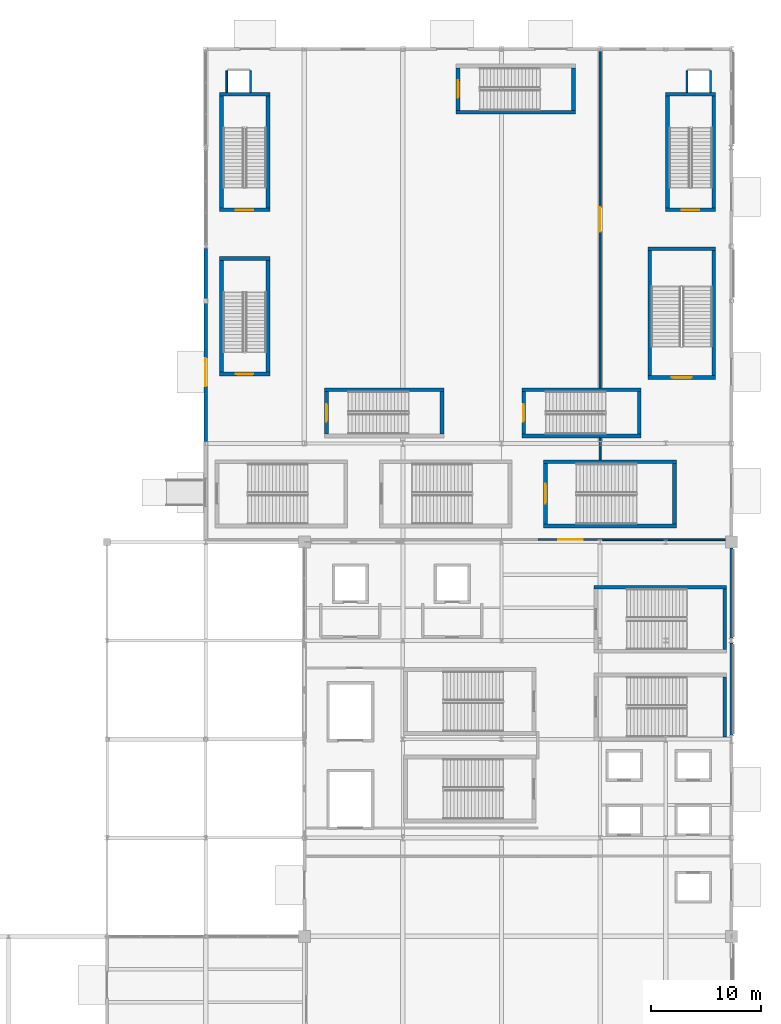
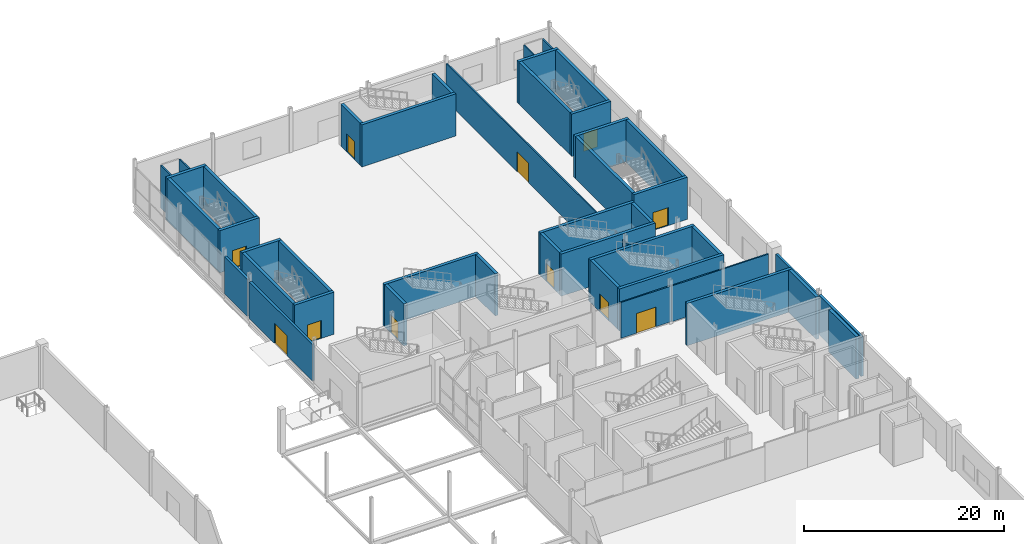
# One storey, part 62 of 94: 45 walls, 11 doors, 11 openings.
"""IFC4 building model written with IfcOpenShell, lengths in metres."""

from ifc_helpers import new_model, si_unit, direction, frame, frame_2d, origin, place, context, subcontext, project, spatial, rectangle, extrude, material, layer, layer_set, type_object, element, fill, save


model = new_model("IFC4")

# Units and contexts
model_context = context("Model", 3, precision=1e-05, world=origin(), true_north=direction((0.0, 1.0)))
body_context = subcontext(model_context, "Body", "Model", "MODEL_VIEW")
ifc_project = project(units=[si_unit("LENGTHUNIT", "METRE"), si_unit("AREAUNIT", "SQUARE_METRE"), si_unit("VOLUMEUNIT", "CUBIC_METRE"), si_unit("PLANEANGLEUNIT", "RADIAN"), si_unit("MASSUNIT", "GRAM", prefix="KILO")], contexts=[model_context])

# Site, building, storey
site_placement = place(None, origin())
site = spatial("IfcSite", under=ifc_project, at=site_placement, CompositionType="ELEMENT")
building_placement = place(site_placement, origin())
building = spatial("IfcBuilding", under=site, at=building_placement, Name="Qamarlyn Nura Convention Centre", CompositionType="ELEMENT")
storey_placement = place(building_placement, origin())
storey = spatial("IfcBuildingStorey", under=building, at=storey_placement, Name="L00", CompositionType="ELEMENT", Elevation=0.0)

# Walls
ifc_material_1 = material(Name="Concrete C50/60", Category="concrete")
ifc_layer_1 = layer(ifc_material_1, 0.35009765625, Name="WT-CORE-350")
ifc_layer_set_1 = layer_set([ifc_layer_1], Name="Concrete C50/60")
wall_type_1 = type_object("IfcWallType", Name="WT-CORE-350", PredefinedType="SHEAR", material=ifc_layer_set_1)
wall_1_placement = place(storey_placement, frame((191.375, 63.199951171875, 0.0), z_axis=(0.0, 0.0, 1.0), x_axis=(0.0, 1.0, 0.0)))
element("IfcWall", 1, at=wall_1_placement, inside=storey, type_object=wall_type_1, Name="L00 stair core shear wall ST-13-E", PredefinedType="SHEAR", context=body_context, shape_type="SweptSolid", body=[
    extrude(rectangle(XDim=5.5, YDim=0.35009765625, at=frame_2d((2.75, 0.0))), origin(), (0.0, 0.0, 1.0), 5.179931640625),
])
wall_2_placement = place(storey_placement, frame((191.550048828125, 76.875, 0.0), z_axis=(0.0, 0.0, 1.0), x_axis=(-1.0, 0.0, 0.0)))
element("IfcWall", 2, at=wall_2_placement, inside=storey, type_object=wall_type_1, Name="L00 stair core shear wall ST-14-N", PredefinedType="SHEAR", context=body_context, shape_type="SweptSolid", body=[
    extrude(rectangle(XDim=12.10009765625, YDim=0.35009765625, at=frame_2d((6.050048828125, 0.0))), origin(), (0.0, 0.0, 1.0), 5.179931640625),
])
wall_3_placement = place(storey_placement, frame((191.375, 71.199951171875, 0.0), z_axis=(0.0, 0.0, 1.0), x_axis=(0.0, 1.0, 0.0)))
element("IfcWall", 3, at=wall_3_placement, inside=storey, type_object=wall_type_1, Name="L00 stair core shear wall ST-14-E", PredefinedType="SHEAR", context=body_context, shape_type="SweptSolid", body=[
    extrude(rectangle(XDim=5.5, YDim=0.35009765625, at=frame_2d((2.75, 0.0))), origin(), (0.0, 0.0, 1.0), 5.179931640625),
])
for number, where, z_axis, x_axis, name in (
    (4, (174.85009765625, 82.47509765625, 0.0), (0.0, 0.0, 1.0), (1.0, 0.0, 0.0), "L00 stair core shear wall ST-17-S"),
    (5, (186.949951171875, 88.324951171875, 0.0), (0.0, 0.0, 1.0), (-1.0, 0.0, 0.0), "L00 stair core shear wall ST-17-N"),
):
    element("IfcWall", number, at=place(storey_placement, frame(where, z_axis=z_axis, x_axis=x_axis)), inside=storey, type_object=wall_type_1, Name=name, PredefinedType="SHEAR", context=body_context, shape_type="SweptSolid", body=[
        extrude(rectangle(XDim=12.099853515625, YDim=0.35009765625, at=frame_2d((6.0498046875, 0.0))), origin(), (0.0, 0.0, 1.0), 5.159912109375),
    ])

# Wall, opening, door
wall_4_placement = place(storey_placement, frame((175.02490234375, 88.14990234375, 0.0), z_axis=(0.0, 0.0, 1.0), x_axis=(0.0, -1.0, 0.0)))
wall_4 = element("IfcWall", 6, at=wall_4_placement, inside=storey, type_object=wall_type_1, Name="L00 stair core shear wall ST-17-W", PredefinedType="SHEAR", context=body_context, shape_type="SweptSolid", body=[
    extrude(rectangle(XDim=5.5, YDim=0.35009765625, at=frame_2d((2.75, 0.0))), origin(), (0.0, 0.0, 1.0), 5.159912109375),
])
opening_1_placement = place(wall_4_placement, frame((1.85009765625, 0.0, 0.0)))
opening_1 = element("IfcOpeningElement", 7, at=opening_1_placement, cuts=wall_4, Name="Opening DS-083", PredefinedType="OPENING", context=body_context, shape_type="SweptSolid", body=[
    extrude(rectangle(XDim=1.800048828125, YDim=2.199951171875, at=frame_2d((0.89990234375, 1.10009765625))), frame((0.0, 0.18505859375, 0.0), z_axis=(0.0, -1.0, 0.0), x_axis=(1.0, 0.0, 0.0)), (0.0, 0.0, 1.0), 0.3701171875),
])
ifc_material_2 = material(Name="Galvanised fire-rated hollow steel door", Category="steel")
door_type_1 = type_object("IfcDoorType", Name="DR-STAIR-1800", OperationType="DOUBLE_DOOR_SINGLE_SWING", PredefinedType="DOOR", material=ifc_material_2)
door_1_placement = place(opening_1_placement, origin())
door_1 = element("IfcDoor", 8, at=door_1_placement, inside=storey, type_object=door_type_1, Name="L00 exit stair door ST-17 (DS-083)", OperationType="DOUBLE_DOOR_SINGLE_SWING", OverallHeight=2.199951171875, OverallWidth=1.800048828125, PredefinedType="DOOR", context=body_context, shape_type="SweptSolid", body=[
    extrude(rectangle(XDim=1.800048828125, YDim=2.199951171875, at=frame_2d((0.89990234375, 1.10009765625))), frame((0.0, 0.02490234375, 0.0), z_axis=(0.0, -1.0, 0.0), x_axis=(1.0, 0.0, 0.0)), (0.0, 0.0, 1.0), 0.050048828125),
])
fill(opening_1, door_1)

# Wall
wall_5_placement = place(storey_placement, frame((186.77490234375, 82.64990234375, 0.0), z_axis=(0.0, 0.0, 1.0), x_axis=(0.0, 1.0, 0.0)))
element("IfcWall", 9, at=wall_5_placement, inside=storey, type_object=wall_type_1, Name="L00 stair core shear wall ST-17-E", PredefinedType="SHEAR", context=body_context, shape_type="SweptSolid", body=[
    extrude(rectangle(XDim=5.5, YDim=0.35009765625, at=frame_2d((2.75, 0.0))), origin(), (0.0, 0.0, 1.0), 5.159912109375),
])

# Wall, opening, door
wall_6_placement = place(storey_placement, frame((184.35009765625, 96.02490234375, 0.0), z_axis=(0.0, 0.0, 1.0), x_axis=(1.0, 0.0, 0.0)))
wall_6 = element("IfcWall", 10, at=wall_6_placement, inside=storey, type_object=wall_type_1, Name="L00 stair core shear wall ST-18-S", PredefinedType="SHEAR", context=body_context, shape_type="SweptSolid", body=[
    extrude(rectangle(XDim=6.199951171875, YDim=0.35009765625, at=frame_2d((3.10009765625, 0.0))), origin(), (0.0, 0.0, 1.0), 5.159912109375),
])
opening_2_placement = place(wall_6_placement, frame((2.199951171875, 0.0, 0.0)))
opening_2 = element("IfcOpeningElement", 11, at=opening_2_placement, cuts=wall_6, Name="Opening DS-089", PredefinedType="OPENING", context=body_context, shape_type="SweptSolid", body=[
    extrude(rectangle(XDim=1.800048828125, YDim=2.199951171875, at=frame_2d((0.89990234375, 1.10009765625))), frame((0.0, 0.18505859375, 0.0), z_axis=(0.0, -1.0, 0.0), x_axis=(1.0, 0.0, 0.0)), (0.0, 0.0, 1.0), 0.3701171875),
])
door_2_placement = place(opening_2_placement, origin())
door_2 = element("IfcDoor", 12, at=door_2_placement, inside=storey, type_object=door_type_1, Name="L00 exit stair door ST-18 (DS-089)", OperationType="DOUBLE_DOOR_SINGLE_SWING", OverallHeight=2.199951171875, OverallWidth=1.800048828125, PredefinedType="DOOR", context=body_context, shape_type="SweptSolid", body=[
    extrude(rectangle(XDim=1.800048828125, YDim=2.199951171875, at=frame_2d((0.89990234375, 1.10009765625))), frame((0.0, 0.02490234375, 0.0), z_axis=(0.0, -1.0, 0.0), x_axis=(1.0, 0.0, 0.0)), (0.0, 0.0, 1.0), 0.050048828125),
])
fill(opening_2, door_2)

# Walls
wall_7_placement = place(storey_placement, frame((190.550048828125, 107.77490234375, 0.0), z_axis=(0.0, 0.0, 1.0), x_axis=(-1.0, 0.0, 0.0)))
element("IfcWall", 13, at=wall_7_placement, inside=storey, type_object=wall_type_1, Name="L00 stair core shear wall ST-18-N", PredefinedType="SHEAR", context=body_context, shape_type="SweptSolid", body=[
    extrude(rectangle(XDim=6.199951171875, YDim=0.35009765625, at=frame_2d((3.10009765625, 0.0))), origin(), (0.0, 0.0, 1.0), 5.159912109375),
])
for number, where, z_axis, x_axis, name in (
    (14, (184.52490234375, 107.60009765625, 0.0), (0.0, 0.0, 1.0), (0.0, -1.0, 0.0), "L00 stair core shear wall ST-18-W"),
    (15, (190.375, 96.199951171875, 0.0), (0.0, 0.0, 1.0), (0.0, 1.0, 0.0), "L00 stair core shear wall ST-18-E"),
):
    element("IfcWall", number, at=place(storey_placement, frame(where, z_axis=z_axis, x_axis=x_axis)), inside=storey, type_object=wall_type_1, Name=name, PredefinedType="SHEAR", context=body_context, shape_type="SweptSolid", body=[
        extrude(rectangle(XDim=11.400146484375, YDim=0.35009765625, at=frame_2d((5.7001953125, 0.0))), origin(), (0.0, 0.0, 1.0), 5.159912109375),
    ])

# Wall, opening, door
wall_8_placement = place(storey_placement, frame((145.27001953125, 96.324951171875, 0.0), z_axis=(0.0, 0.0, 1.0), x_axis=(1.0, 0.0, 0.0)))
wall_8 = element("IfcWall", 16, at=wall_8_placement, inside=storey, type_object=wall_type_1, Name="L00 stair core shear wall ST-VOM1-S", PredefinedType="SHEAR", context=body_context, shape_type="SweptSolid", body=[
    extrude(rectangle(XDim=4.580078125, YDim=0.35009765625, at=frame_2d((2.2900390625, 0.0))), origin(), (0.0, 0.0, 1.0), 5.159912109375),
])
opening_3_placement = place(wall_8_placement, frame((1.489990234375, 0.0, 0.0)))
opening_3 = element("IfcOpeningElement", 17, at=opening_3_placement, cuts=wall_8, Name="Opening DS-091", PredefinedType="OPENING", context=body_context, shape_type="SweptSolid", body=[
    extrude(rectangle(XDim=1.60009765625, YDim=2.199951171875, at=frame_2d((0.800048828125, 1.10009765625))), frame((0.0, 0.18505859375, 0.0), z_axis=(0.0, -1.0, 0.0), x_axis=(1.0, 0.0, 0.0)), (0.0, 0.0, 1.0), 0.3701171875),
])
door_type_2 = type_object("IfcDoorType", Name="DR-STAIR-1600", OperationType="DOUBLE_DOOR_SINGLE_SWING", PredefinedType="DOOR", material=ifc_material_2)
door_3_placement = place(opening_3_placement, origin())
door_3 = element("IfcDoor", 18, at=door_3_placement, inside=storey, type_object=door_type_2, Name="L00 exit stair door ST-VOM1 (DS-091)", OperationType="DOUBLE_DOOR_SINGLE_SWING", OverallHeight=2.199951171875, OverallWidth=1.60009765625, PredefinedType="DOOR", context=body_context, shape_type="SweptSolid", body=[
    extrude(rectangle(XDim=1.60009765625, YDim=2.199951171875, at=frame_2d((0.800048828125, 1.10009765625))), frame((0.0, 0.02490234375, 0.0), z_axis=(0.0, -1.0, 0.0), x_axis=(1.0, 0.0, 0.0)), (0.0, 0.0, 1.0), 0.050048828125),
])
fill(opening_3, door_3)

# Walls
wall_9_placement = place(storey_placement, frame((149.85009765625, 106.875, 0.0), z_axis=(0.0, 0.0, 1.0), x_axis=(-1.0, 0.0, 0.0)))
element("IfcWall", 19, at=wall_9_placement, inside=storey, type_object=wall_type_1, Name="L00 stair core shear wall ST-VOM1-N", PredefinedType="SHEAR", context=body_context, shape_type="SweptSolid", body=[
    extrude(rectangle(XDim=4.580078125, YDim=0.35009765625, at=frame_2d((2.2900390625, 0.0))), origin(), (0.0, 0.0, 1.0), 5.159912109375),
])
for number, where, z_axis, x_axis, name in (
    (20, (145.445068359375, 106.699951171875, 0.0), (0.0, 0.0, 1.0), (0.0, -1.0, 0.0), "L00 stair core shear wall ST-VOM1-W"),
    (21, (149.675048828125, 96.5, 0.0), (0.0, 0.0, 1.0), (0.0, 1.0, 0.0), "L00 stair core shear wall ST-VOM1-E"),
):
    element("IfcWall", number, at=place(storey_placement, frame(where, z_axis=z_axis, x_axis=x_axis)), inside=storey, type_object=wall_type_1, Name=name, PredefinedType="SHEAR", context=body_context, shape_type="SweptSolid", body=[
        extrude(rectangle(XDim=10.199951171875, YDim=0.35009765625, at=frame_2d((5.10009765625, 0.0))), origin(), (0.0, 0.0, 1.0), 5.159912109375),
    ])

# Wall, opening, door
wall_10_placement = place(storey_placement, frame((145.27001953125, 111.324951171875, 0.0), z_axis=(0.0, 0.0, 1.0), x_axis=(1.0, 0.0, 0.0)))
wall_10 = element("IfcWall", 22, at=wall_10_placement, inside=storey, type_object=wall_type_1, Name="L00 stair core shear wall ST-VOM2-S", PredefinedType="SHEAR", context=body_context, shape_type="SweptSolid", body=[
    extrude(rectangle(XDim=4.580078125, YDim=0.35009765625, at=frame_2d((2.2900390625, 0.0))), origin(), (0.0, 0.0, 1.0), 5.159912109375),
])
opening_4_placement = place(wall_10_placement, frame((1.489990234375, 0.0, 0.0)))
opening_4 = element("IfcOpeningElement", 23, at=opening_4_placement, cuts=wall_10, Name="Opening DS-093", PredefinedType="OPENING", context=body_context, shape_type="SweptSolid", body=[
    extrude(rectangle(XDim=1.60009765625, YDim=2.199951171875, at=frame_2d((0.800048828125, 1.10009765625))), frame((0.0, 0.18505859375, 0.0), z_axis=(0.0, -1.0, 0.0), x_axis=(1.0, 0.0, 0.0)), (0.0, 0.0, 1.0), 0.3701171875),
])
door_4_placement = place(opening_4_placement, origin())
door_4 = element("IfcDoor", 24, at=door_4_placement, inside=storey, type_object=door_type_2, Name="L00 exit stair door ST-VOM2 (DS-093)", OperationType="DOUBLE_DOOR_SINGLE_SWING", OverallHeight=2.199951171875, OverallWidth=1.60009765625, PredefinedType="DOOR", context=body_context, shape_type="SweptSolid", body=[
    extrude(rectangle(XDim=1.60009765625, YDim=2.199951171875, at=frame_2d((0.800048828125, 1.10009765625))), frame((0.0, 0.02490234375, 0.0), z_axis=(0.0, -1.0, 0.0), x_axis=(1.0, 0.0, 0.0)), (0.0, 0.0, 1.0), 0.050048828125),
])
fill(opening_4, door_4)

# Walls
wall_11_placement = place(storey_placement, frame((149.85009765625, 121.875, 0.0), z_axis=(0.0, 0.0, 1.0), x_axis=(-1.0, 0.0, 0.0)))
element("IfcWall", 25, at=wall_11_placement, inside=storey, type_object=wall_type_1, Name="L00 stair core shear wall ST-VOM2-N", PredefinedType="SHEAR", context=body_context, shape_type="SweptSolid", body=[
    extrude(rectangle(XDim=4.580078125, YDim=0.35009765625, at=frame_2d((2.2900390625, 0.0))), origin(), (0.0, 0.0, 1.0), 5.159912109375),
])
for number, where, z_axis, x_axis, name in (
    (26, (145.445068359375, 121.699951171875, 0.0), (0.0, 0.0, 1.0), (0.0, -1.0, 0.0), "L00 stair core shear wall ST-VOM2-W"),
    (27, (149.675048828125, 111.5, 0.0), (0.0, 0.0, 1.0), (0.0, 1.0, 0.0), "L00 stair core shear wall ST-VOM2-E"),
):
    element("IfcWall", number, at=place(storey_placement, frame(where, z_axis=z_axis, x_axis=x_axis)), inside=storey, type_object=wall_type_1, Name=name, PredefinedType="SHEAR", context=body_context, shape_type="SweptSolid", body=[
        extrude(rectangle(XDim=10.199951171875, YDim=0.35009765625, at=frame_2d((5.10009765625, 0.0))), origin(), (0.0, 0.0, 1.0), 5.159912109375),
    ])
wall_12_placement = place(storey_placement, frame((165.75, 94.905029296875, 0.0), z_axis=(0.0, 0.0, 1.0), x_axis=(-1.0, 0.0, 0.0)))
element("IfcWall", 28, at=wall_12_placement, inside=storey, type_object=wall_type_1, Name="L00 stair core shear wall ST-VOM3-N", PredefinedType="SHEAR", context=body_context, shape_type="SweptSolid", body=[
    extrude(rectangle(XDim=10.89990234375, YDim=0.35009765625, at=frame_2d((5.449951171875, 0.0))), origin(), (0.0, 0.0, 1.0), 5.159912109375),
])

# Wall, opening, door
wall_13_placement = place(storey_placement, frame((155.02490234375, 94.72998046875, 0.0), z_axis=(0.0, 0.0, 1.0), x_axis=(0.0, -1.0, 0.0)))
wall_13 = element("IfcWall", 29, at=wall_13_placement, inside=storey, type_object=wall_type_1, Name="L00 stair core shear wall ST-VOM3-W", PredefinedType="SHEAR", context=body_context, shape_type="SweptSolid", body=[
    extrude(rectangle(XDim=3.8798828125, YDim=0.35009765625, at=frame_2d((1.93994140625, 0.0))), origin(), (0.0, 0.0, 1.0), 5.159912109375),
])
opening_5_placement = place(wall_13_placement, frame((1.139892578125, 0.0, 0.0)))
opening_5 = element("IfcOpeningElement", 30, at=opening_5_placement, cuts=wall_13, Name="Opening DS-095", PredefinedType="OPENING", context=body_context, shape_type="SweptSolid", body=[
    extrude(rectangle(XDim=1.60009765625, YDim=2.199951171875, at=frame_2d((0.800048828125, 1.10009765625))), frame((0.0, 0.18505859375, 0.0), z_axis=(0.0, -1.0, 0.0), x_axis=(1.0, 0.0, 0.0)), (0.0, 0.0, 1.0), 0.3701171875),
])
door_5_placement = place(opening_5_placement, origin())
door_5 = element("IfcDoor", 31, at=door_5_placement, inside=storey, type_object=door_type_2, Name="L00 exit stair door ST-VOM3 (DS-095)", OperationType="DOUBLE_DOOR_SINGLE_SWING", OverallHeight=2.199951171875, OverallWidth=1.60009765625, PredefinedType="DOOR", context=body_context, shape_type="SweptSolid", body=[
    extrude(rectangle(XDim=1.60009765625, YDim=2.199951171875, at=frame_2d((0.800048828125, 1.10009765625))), frame((0.0, 0.02490234375, 0.0), z_axis=(0.0, -1.0, 0.0), x_axis=(1.0, 0.0, 0.0)), (0.0, 0.0, 1.0), 0.050048828125),
])
fill(opening_5, door_5)

# Walls
wall_14_placement = place(storey_placement, frame((165.574951171875, 90.85009765625, 0.0), z_axis=(0.0, 0.0, 1.0), x_axis=(0.0, 1.0, 0.0)))
element("IfcWall", 32, at=wall_14_placement, inside=storey, type_object=wall_type_1, Name="L00 stair core shear wall ST-VOM3-E", PredefinedType="SHEAR", context=body_context, shape_type="SweptSolid", body=[
    extrude(rectangle(XDim=3.8798828125, YDim=0.35009765625, at=frame_2d((1.93994140625, 0.0))), origin(), (0.0, 0.0, 1.0), 5.159912109375),
])
for number, where, z_axis, x_axis, name in (
    (33, (172.85009765625, 90.675048828125, 0.0), (0.0, 0.0, 1.0), (1.0, 0.0, 0.0), "L00 stair core shear wall ST-VOM4-S"),
    (34, (183.75, 94.905029296875, 0.0), (0.0, 0.0, 1.0), (-1.0, 0.0, 0.0), "L00 stair core shear wall ST-VOM4-N"),
):
    element("IfcWall", number, at=place(storey_placement, frame(where, z_axis=z_axis, x_axis=x_axis)), inside=storey, type_object=wall_type_1, Name=name, PredefinedType="SHEAR", context=body_context, shape_type="SweptSolid", body=[
        extrude(rectangle(XDim=10.89990234375, YDim=0.35009765625, at=frame_2d((5.449951171875, 0.0))), origin(), (0.0, 0.0, 1.0), 5.159912109375),
    ])

# Wall, opening, door
wall_15_placement = place(storey_placement, frame((173.02490234375, 94.72998046875, 0.0), z_axis=(0.0, 0.0, 1.0), x_axis=(0.0, -1.0, 0.0)))
wall_15 = element("IfcWall", 35, at=wall_15_placement, inside=storey, type_object=wall_type_1, Name="L00 stair core shear wall ST-VOM4-W", PredefinedType="SHEAR", context=body_context, shape_type="SweptSolid", body=[
    extrude(rectangle(XDim=3.8798828125, YDim=0.35009765625, at=frame_2d((1.93994140625, 0.0))), origin(), (0.0, 0.0, 1.0), 5.159912109375),
])
opening_6_placement = place(wall_15_placement, frame((1.139892578125, 0.0, 0.0)))
opening_6 = element("IfcOpeningElement", 36, at=opening_6_placement, cuts=wall_15, Name="Opening DS-097", PredefinedType="OPENING", context=body_context, shape_type="SweptSolid", body=[
    extrude(rectangle(XDim=1.60009765625, YDim=2.199951171875, at=frame_2d((0.800048828125, 1.10009765625))), frame((0.0, 0.18505859375, 0.0), z_axis=(0.0, -1.0, 0.0), x_axis=(1.0, 0.0, 0.0)), (0.0, 0.0, 1.0), 0.3701171875),
])
door_6_placement = place(opening_6_placement, origin())
door_6 = element("IfcDoor", 37, at=door_6_placement, inside=storey, type_object=door_type_2, Name="L00 exit stair door ST-VOM4 (DS-097)", OperationType="DOUBLE_DOOR_SINGLE_SWING", OverallHeight=2.199951171875, OverallWidth=1.60009765625, PredefinedType="DOOR", context=body_context, shape_type="SweptSolid", body=[
    extrude(rectangle(XDim=1.60009765625, YDim=2.199951171875, at=frame_2d((0.800048828125, 1.10009765625))), frame((0.0, 0.02490234375, 0.0), z_axis=(0.0, -1.0, 0.0), x_axis=(1.0, 0.0, 0.0)), (0.0, 0.0, 1.0), 0.050048828125),
])
fill(opening_6, door_6)

# Walls
wall_16_placement = place(storey_placement, frame((183.574951171875, 90.85009765625, 0.0), z_axis=(0.0, 0.0, 1.0), x_axis=(0.0, 1.0, 0.0)))
element("IfcWall", 38, at=wall_16_placement, inside=storey, type_object=wall_type_1, Name="L00 stair core shear wall ST-VOM4-E", PredefinedType="SHEAR", context=body_context, shape_type="SweptSolid", body=[
    extrude(rectangle(XDim=3.8798828125, YDim=0.35009765625, at=frame_2d((1.93994140625, 0.0))), origin(), (0.0, 0.0, 1.0), 5.159912109375),
])
wall_17_placement = place(storey_placement, frame((166.85009765625, 120.22509765625, 0.0), z_axis=(0.0, 0.0, 1.0), x_axis=(1.0, 0.0, 0.0)))
element("IfcWall", 39, at=wall_17_placement, inside=storey, type_object=wall_type_1, Name="L00 stair core shear wall ST-VOM5-S", PredefinedType="SHEAR", context=body_context, shape_type="SweptSolid", body=[
    extrude(rectangle(XDim=10.89990234375, YDim=0.35009765625, at=frame_2d((5.449951171875, 0.0))), origin(), (0.0, 0.0, 1.0), 5.159912109375),
])

# Wall, opening, door
wall_18_placement = place(storey_placement, frame((167.02490234375, 124.280029296875, 0.0), z_axis=(0.0, 0.0, 1.0), x_axis=(0.0, -1.0, 0.0)))
wall_18 = element("IfcWall", 40, at=wall_18_placement, inside=storey, type_object=wall_type_1, Name="L00 stair core shear wall ST-VOM5-W", PredefinedType="SHEAR", context=body_context, shape_type="SweptSolid", body=[
    extrude(rectangle(XDim=3.880126953125, YDim=0.35009765625, at=frame_2d((1.93994140625, 0.0))), origin(), (0.0, 0.0, 1.0), 5.159912109375),
])
opening_7_placement = place(wall_18_placement, frame((1.139892578125, 0.0, 0.0)))
opening_7 = element("IfcOpeningElement", 41, at=opening_7_placement, cuts=wall_18, Name="Opening DS-099", PredefinedType="OPENING", context=body_context, shape_type="SweptSolid", body=[
    extrude(rectangle(XDim=1.60009765625, YDim=2.199951171875, at=frame_2d((0.800048828125, 1.10009765625))), frame((0.0, 0.18505859375, 0.0), z_axis=(0.0, -1.0, 0.0), x_axis=(1.0, 0.0, 0.0)), (0.0, 0.0, 1.0), 0.3701171875),
])
door_7_placement = place(opening_7_placement, origin())
door_7 = element("IfcDoor", 42, at=door_7_placement, inside=storey, type_object=door_type_2, Name="L00 exit stair door ST-VOM5 (DS-099)", OperationType="DOUBLE_DOOR_SINGLE_SWING", OverallHeight=2.199951171875, OverallWidth=1.60009765625, PredefinedType="DOOR", context=body_context, shape_type="SweptSolid", body=[
    extrude(rectangle(XDim=1.60009765625, YDim=2.199951171875, at=frame_2d((0.800048828125, 1.10009765625))), frame((0.0, 0.02490234375, 0.0), z_axis=(0.0, -1.0, 0.0), x_axis=(1.0, 0.0, 0.0)), (0.0, 0.0, 1.0), 0.050048828125),
])
fill(opening_7, door_7)

# Wall
wall_19_placement = place(storey_placement, frame((177.574951171875, 120.39990234375, 0.0), z_axis=(0.0, 0.0, 1.0), x_axis=(0.0, 1.0, 0.0)))
element("IfcWall", 43, at=wall_19_placement, inside=storey, type_object=wall_type_1, Name="L00 stair core shear wall ST-VOM5-E", PredefinedType="SHEAR", context=body_context, shape_type="SweptSolid", body=[
    extrude(rectangle(XDim=3.880126953125, YDim=0.35009765625, at=frame_2d((1.93994140625, 0.0))), origin(), (0.0, 0.0, 1.0), 5.159912109375),
])

# Wall, opening, door
wall_20_placement = place(storey_placement, frame((185.969970703125, 111.324951171875, 0.0), z_axis=(0.0, 0.0, 1.0), x_axis=(1.0, 0.0, 0.0)))
wall_20 = element("IfcWall", 44, at=wall_20_placement, inside=storey, type_object=wall_type_1, Name="L00 stair core shear wall ST-VOM6-S", PredefinedType="SHEAR", context=body_context, shape_type="SweptSolid", body=[
    extrude(rectangle(XDim=4.580078125, YDim=0.35009765625, at=frame_2d((2.2900390625, 0.0))), origin(), (0.0, 0.0, 1.0), 5.159912109375),
])
opening_8_placement = place(wall_20_placement, frame((1.489990234375, 0.0, 0.0)))
opening_8 = element("IfcOpeningElement", 45, at=opening_8_placement, cuts=wall_20, Name="Opening DS-101", PredefinedType="OPENING", context=body_context, shape_type="SweptSolid", body=[
    extrude(rectangle(XDim=1.60009765625, YDim=2.199951171875, at=frame_2d((0.800048828125, 1.10009765625))), frame((0.0, 0.18505859375, 0.0), z_axis=(0.0, -1.0, 0.0), x_axis=(1.0, 0.0, 0.0)), (0.0, 0.0, 1.0), 0.3701171875),
])
door_8_placement = place(opening_8_placement, origin())
door_8 = element("IfcDoor", 46, at=door_8_placement, inside=storey, type_object=door_type_2, Name="L00 exit stair door ST-VOM6 (DS-101)", OperationType="DOUBLE_DOOR_SINGLE_SWING", OverallHeight=2.199951171875, OverallWidth=1.60009765625, PredefinedType="DOOR", context=body_context, shape_type="SweptSolid", body=[
    extrude(rectangle(XDim=1.60009765625, YDim=2.199951171875, at=frame_2d((0.800048828125, 1.10009765625))), frame((0.0, 0.02490234375, 0.0), z_axis=(0.0, -1.0, 0.0), x_axis=(1.0, 0.0, 0.0)), (0.0, 0.0, 1.0), 0.050048828125),
])
fill(opening_8, door_8)

# Walls
wall_21_placement = place(storey_placement, frame((190.550048828125, 121.875, 0.0), z_axis=(0.0, 0.0, 1.0), x_axis=(-1.0, 0.0, 0.0)))
element("IfcWall", 47, at=wall_21_placement, inside=storey, type_object=wall_type_1, Name="L00 stair core shear wall ST-VOM6-N", PredefinedType="SHEAR", context=body_context, shape_type="SweptSolid", body=[
    extrude(rectangle(XDim=4.580078125, YDim=0.35009765625, at=frame_2d((2.2900390625, 0.0))), origin(), (0.0, 0.0, 1.0), 5.159912109375),
])
for number, where, z_axis, x_axis, name in (
    (48, (186.14501953125, 121.699951171875, 0.0), (0.0, 0.0, 1.0), (0.0, -1.0, 0.0), "L00 stair core shear wall ST-VOM6-W"),
    (49, (190.375, 111.5, 0.0), (0.0, 0.0, 1.0), (0.0, 1.0, 0.0), "L00 stair core shear wall ST-VOM6-E"),
):
    element("IfcWall", number, at=place(storey_placement, frame(where, z_axis=z_axis, x_axis=x_axis)), inside=storey, type_object=wall_type_1, Name=name, PredefinedType="SHEAR", context=body_context, shape_type="SweptSolid", body=[
        extrude(rectangle(XDim=10.199951171875, YDim=0.35009765625, at=frame_2d((5.10009765625, 0.0))), origin(), (0.0, 0.0, 1.0), 5.159912109375),
    ])
ifc_material_3 = material(Name="Concrete C40/50", Category="concrete")
ifc_layer_2 = layer(ifc_material_3, 0.280029296875, Name="WT-EXT-280")
ifc_layer_set_2 = layer_set([ifc_layer_2], Name="Concrete C40/50")
wall_type_2 = type_object("IfcWallType", Name="WT-EXT-280", PredefinedType="SOLIDWALL", material=ifc_layer_set_2)
wall_22_placement = place(storey_placement, frame((192.0, 71.78759765625, 0.0), z_axis=(0.0, 0.0, 1.0), x_axis=(0.0, -1.0, 0.0)))
element("IfcWall", 50, at=wall_22_placement, inside=storey, type_object=wall_type_2, Name="L00 exterior facade wall WEXT-L00-1920-718-1920-633", PredefinedType="SOLIDWALL", context=body_context, shape_type="SweptSolid", body=[
    extrude(rectangle(XDim=8.440185546875, YDim=0.280029296875, at=frame_2d((4.22021484375, 0.0))), origin(), (0.0, 0.0, 1.0), 4.864990234375),
])
wall_23_placement = place(storey_placement, frame((192.0, 80.449951171875, 0.0), z_axis=(0.0, 0.0, 1.0), x_axis=(0.0, -1.0, 0.0)))
element("IfcWall", 51, at=wall_23_placement, inside=storey, type_object=wall_type_2, Name="L00 exterior facade wall WEXT-L00-1920-804-1920-722", PredefinedType="SOLIDWALL", context=body_context, shape_type="SweptSolid", body=[
    extrude(rectangle(XDim=8.237548828125, YDim=0.280029296875, at=frame_2d((4.11865234375, 0.0))), origin(), (0.0, 0.0, 1.0), 4.6259765625),
])

# Wall, opening, door
wall_24_placement = place(storey_placement, frame((144.0, 90.175048828125, 0.0), z_axis=(0.0, 0.0, 1.0), x_axis=(0.0, 1.0, 0.0)))
wall_24 = element("IfcWall", 52, at=wall_24_placement, inside=storey, type_object=wall_type_2, Name="L00 exterior facade wall WEXT-L00-1440-902-1440-1028", PredefinedType="SOLIDWALL", context=body_context, shape_type="SweptSolid", body=[
    extrude(rectangle(XDim=12.625, YDim=0.280029296875, at=frame_2d((6.3125, 0.0))), origin(), (0.0, 0.0, 1.0), 4.4609375),
])
opening_9_placement = place(wall_24_placement, frame((5.0224609375, 0.0, 0.0)))
opening_9 = element("IfcOpeningElement", 53, at=opening_9_placement, cuts=wall_24, Name="Opening E-52", PredefinedType="OPENING", context=body_context, shape_type="SweptSolid", body=[
    extrude(rectangle(XDim=2.580078125, YDim=2.47998046875, at=frame_2d((1.2900390625, 1.239990234375))), frame((0.0, 0.14990234375, 0.0), z_axis=(0.0, -1.0, 0.0), x_axis=(1.0, 0.0, 0.0)), (0.0, 0.0, 1.0), 0.300048828125),
])
ifc_material_4 = material(Name="Champagne-anodised marine aluminium", Category="aluminium")
door_type_3 = type_object("IfcDoorType", Name="DR-EXIT-2580", OperationType="DOUBLE_DOOR_SINGLE_SWING", PredefinedType="DOOR", material=ifc_material_4)
door_9_placement = place(opening_9_placement, origin())
door_9 = element("IfcDoor", 54, at=door_9_placement, inside=storey, type_object=door_type_3, Name="Final exit E-52", OperationType="DOUBLE_DOOR_SINGLE_SWING", OverallHeight=2.47998046875, OverallWidth=2.580078125, PredefinedType="DOOR", context=body_context, shape_type="SweptSolid", body=[
    extrude(rectangle(XDim=2.580078125, YDim=2.47998046875, at=frame_2d((1.2900390625, 1.239990234375))), frame((0.0, 0.02490234375, 0.0), z_axis=(0.0, -1.0, 0.0), x_axis=(1.0, 0.0, 0.0)), (0.0, 0.0, 1.0), 0.050048828125),
])
fill(opening_9, door_9)

# Walls
wall_25_placement = place(storey_placement, frame((144.0, 103.199951171875, 0.0), z_axis=(0.0, 0.0, 1.0), x_axis=(0.0, 1.0, 0.0)))
element("IfcWall", 55, at=wall_25_placement, inside=storey, type_object=wall_type_2, Name="L00 exterior facade wall WEXT-L00-1440-1032-1440-1078", PredefinedType="SOLIDWALL", context=body_context, shape_type="SweptSolid", body=[
    extrude(rectangle(XDim=4.603515625, YDim=0.280029296875, at=frame_2d((2.3017578125, 0.0))), origin(), (0.0, 0.0, 1.0), 4.533935546875),
])
ifc_material_5 = material(Name="Fire-rated acoustic gypsum board EI 60")
ifc_layer_3 = layer(ifc_material_5, 0.159912109375, Name="WT-PART-160")
ifc_layer_set_3 = layer_set([ifc_layer_3], Name="Fire-rated acoustic gypsum board EI 60")
wall_type_3 = type_object("IfcWallType", Name="WT-PART-160", PredefinedType="PARTITIONING", material=ifc_layer_set_3)
wall_26_placement = place(storey_placement, frame((180.0, 88.5, 0.0), z_axis=(0.0, 0.0, 1.0), x_axis=(0.0, 1.0, 0.0)))
element("IfcWall", 56, at=wall_26_placement, inside=storey, type_object=wall_type_3, Name="L00 interior partition L00-PLN-BKST-36-1", PredefinedType="PARTITIONING", context=body_context, shape_type="SweptSolid", body=[
    extrude(rectangle(XDim=2.0, YDim=0.159912109375, at=frame_2d((1.0, 0.0))), origin(), (0.0, 0.0, 1.0), 4.4609375),
])

# Wall, opening, door
wall_27_placement = place(storey_placement, frame((180.0, 95.080078125, 0.0), z_axis=(0.0, 0.0, 1.0), x_axis=(0.0, 1.0, 0.0)))
wall_27 = element("IfcWall", 57, at=wall_27_placement, inside=storey, type_object=wall_type_3, Name="L00 interior partition L00-PLN-BKST-72-1", PredefinedType="PARTITIONING", context=body_context, shape_type="SweptSolid", body=[
    extrude(rectangle(XDim=30.7099609375, YDim=0.159912109375, at=frame_2d((15.35498046875, 0.0))), origin(), (0.0, 0.0, 1.0), 4.60595703125),
])
opening_10_placement = place(wall_27_placement, frame((14.22998046875, 0.0, 0.0)))
opening_10 = element("IfcOpeningElement", 58, at=opening_10_placement, cuts=wall_27, Name="Opening D-L00-152", PredefinedType="OPENING", context=body_context, shape_type="SweptSolid", body=[
    extrude(rectangle(XDim=2.25, YDim=2.39990234375, at=frame_2d((1.125, 1.199951171875))), frame((0.0, 0.08984375, 0.0), z_axis=(0.0, -1.0, 0.0), x_axis=(1.0, 0.0, 0.0)), (0.0, 0.0, 1.0), 0.179931640625),
])
ifc_material_6 = material(Name="Acoustic walnut timber leaf", Category="wood")
door_type_4 = type_object("IfcDoorType", Name="DR-HALL-2250", OperationType="DOUBLE_DOOR_SINGLE_SWING", PredefinedType="DOOR", material=ifc_material_6)
door_10_placement = place(opening_10_placement, origin())
door_10 = element("IfcDoor", 59, at=door_10_placement, inside=storey, type_object=door_type_4, Name="L00 Plenary Backstage and Green Rooms door D-L00-152", OperationType="DOUBLE_DOOR_SINGLE_SWING", OverallHeight=2.39990234375, OverallWidth=2.25, PredefinedType="DOOR", context=body_context, shape_type="SweptSolid", body=[
    extrude(rectangle(XDim=2.25, YDim=2.39990234375, at=frame_2d((1.125, 1.199951171875))), frame((0.0, 0.02490234375, 0.0), z_axis=(0.0, -1.0, 0.0), x_axis=(1.0, 0.0, 0.0)), (0.0, 0.0, 1.0), 0.050048828125),
])
fill(opening_10, door_10)

# Walls
for number, where, z_axis, x_axis, name in (
    (60, (190.080078125, 122.050048828125, 0.0), (0.0, 0.0, 1.0), (0.0, 1.0, 0.0), "L00 interior partition L00-PLN-BKST-94-1"),
    (61, (187.919921875, 124.0, 0.0), (0.0, 0.0, 1.0), (0.0, -1.0, 0.0), "L00 interior partition L00-PLN-BKST-128-1"),
):
    element("IfcWall", number, at=place(storey_placement, frame(where, z_axis=z_axis, x_axis=x_axis)), inside=storey, type_object=wall_type_3, Name=name, PredefinedType="PARTITIONING", context=body_context, shape_type="SweptSolid", body=[
        extrude(rectangle(XDim=1.949951171875, YDim=0.159912109375, at=frame_2d((0.97509765625, 0.0))), origin(), (0.0, 0.0, 1.0), 5.179931640625),
    ])
wall_28_placement = place(storey_placement, frame((191.43994140625, 81.199951171875, 0.0), z_axis=(0.0, 0.0, 1.0), x_axis=(-1.0, 0.0, 0.0)))
element("IfcWall", 62, at=wall_28_placement, inside=storey, type_object=wall_type_3, Name="L00 interior partition L00-PLN-BKST-255-1", PredefinedType="PARTITIONING", context=body_context, shape_type="SweptSolid", body=[
    extrude(rectangle(XDim=11.22998046875, YDim=0.159912109375, at=frame_2d((5.614990234375, 0.0))), origin(), (0.0, 0.0, 1.0), 4.3720703125),
])
for number, where, z_axis, x_axis, name in (
    (63, (148.080078125, 122.050048828125, 0.0), (0.0, 0.0, 1.0), (0.0, 1.0, 0.0), "L00 interior partition L00-PLN-FOY0-51-1"),
    (64, (145.919921875, 124.0, 0.0), (0.0, 0.0, 1.0), (0.0, -1.0, 0.0), "L00 interior partition L00-PLN-FOY0-85-1"),
):
    element("IfcWall", number, at=place(storey_placement, frame(where, z_axis=z_axis, x_axis=x_axis)), inside=storey, type_object=wall_type_3, Name=name, PredefinedType="PARTITIONING", context=body_context, shape_type="SweptSolid", body=[
        extrude(rectangle(XDim=1.949951171875, YDim=0.159912109375, at=frame_2d((0.97509765625, 0.0))), origin(), (0.0, 0.0, 1.0), 5.179931640625),
    ])

# Wall, opening, door
wall_29_placement = place(storey_placement, frame((180.2099609375, 81.239990234375, 0.0), z_axis=(0.0, 0.0, 1.0), x_axis=(-1.0, 0.0, 0.0)))
wall_29 = element("IfcWall", 65, at=wall_29_placement, inside=storey, type_object=wall_type_3, Name="L00 interior partition L00-PLN-FOY0-266-1", PredefinedType="PARTITIONING", context=body_context, shape_type="SweptSolid", body=[
    extrude(rectangle(XDim=5.85986328125, YDim=0.159912109375, at=frame_2d((2.929931640625, 0.0))), origin(), (0.0, 0.0, 1.0), 4.3720703125),
])
opening_11_placement = place(wall_29_placement, frame((1.804931640625, 0.0, 0.0)))
opening_11 = element("IfcOpeningElement", 66, at=opening_11_placement, cuts=wall_29, Name="Opening D-L00-155", PredefinedType="OPENING", context=body_context, shape_type="SweptSolid", body=[
    extrude(rectangle(XDim=2.25, YDim=2.39990234375, at=frame_2d((1.125, 1.199951171875))), frame((0.0, 0.08984375, 0.0), z_axis=(0.0, -1.0, 0.0), x_axis=(1.0, 0.0, 0.0)), (0.0, 0.0, 1.0), 0.179931640625),
])
door_11_placement = place(opening_11_placement, origin())
door_11 = element("IfcDoor", 67, at=door_11_placement, inside=storey, type_object=door_type_4, Name="L00 Plenary Ground Pre-function Foyer door D-L00-155", OperationType="DOUBLE_DOOR_SINGLE_SWING", OverallHeight=2.39990234375, OverallWidth=2.25, PredefinedType="DOOR", context=body_context, shape_type="SweptSolid", body=[
    extrude(rectangle(XDim=2.25, YDim=2.39990234375, at=frame_2d((1.125, 1.199951171875))), frame((0.0, 0.02490234375, 0.0), z_axis=(0.0, -1.0, 0.0), x_axis=(1.0, 0.0, 0.0)), (0.0, 0.0, 1.0), 0.050048828125),
])
fill(opening_11, door_11)

save(model, "model.ifc")
